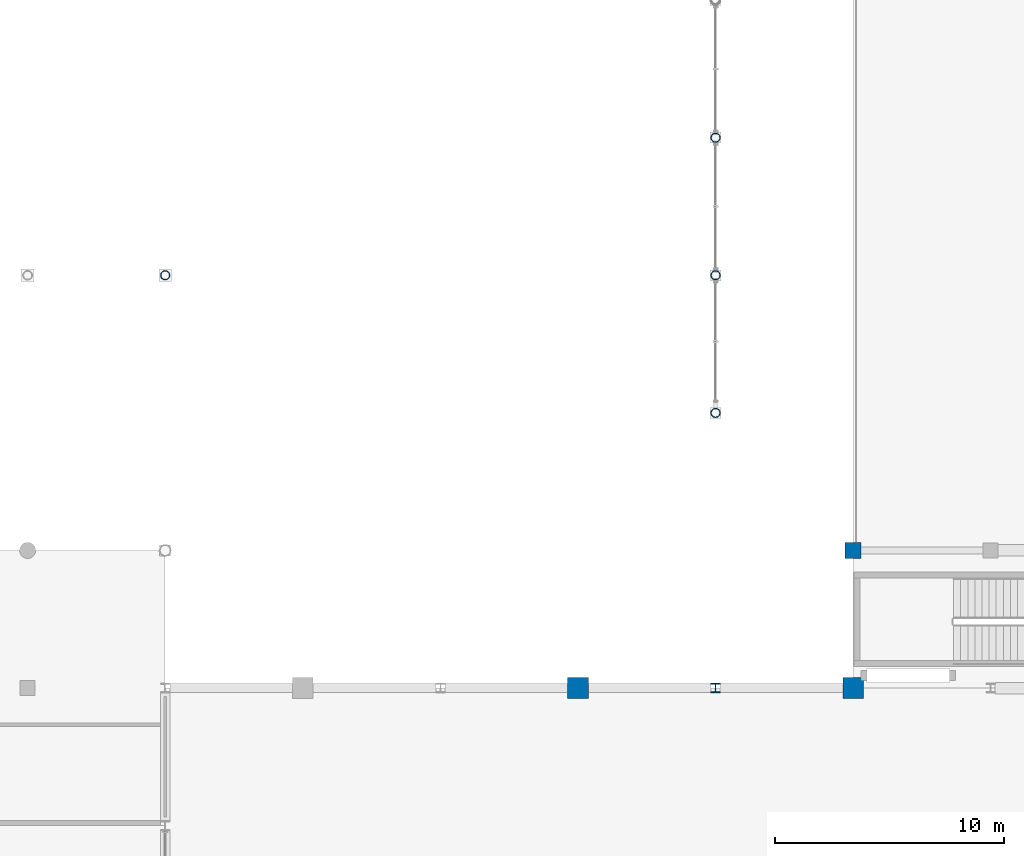
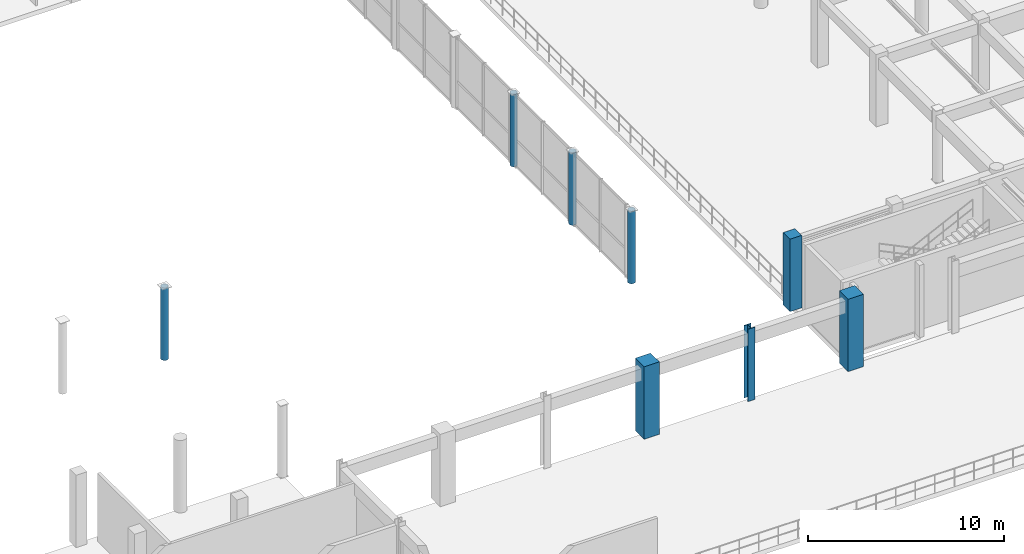
# One storey, part 5 of 116: 8 columns.
"""IFC4 building model written with IfcOpenShell, lengths in metres."""

from ifc_helpers import new_model, si_unit, direction, frame, origin, origin_2d, place, context, subcontext, project, spatial, rectangle, hollow_circle, i_section, extrude, material, material_profile, profile_set, type_object, element, save


model = new_model("IFC4")

# Units and contexts
model_context = context("Model", 3, precision=1e-05, world=origin(), true_north=direction((0.0, 1.0)))
body_context = subcontext(model_context, "Body", "Model", "MODEL_VIEW")
ifc_project = project(units=[si_unit("LENGTHUNIT", "METRE"), si_unit("AREAUNIT", "SQUARE_METRE"), si_unit("VOLUMEUNIT", "CUBIC_METRE"), si_unit("PLANEANGLEUNIT", "RADIAN"), si_unit("MASSUNIT", "GRAM", prefix="KILO"), si_unit("THERMODYNAMICTEMPERATUREUNIT", "KELVIN"), si_unit("POWERUNIT", "WATT")], contexts=[model_context])

# Site, building, storey
site_placement = place(None, origin())
site = spatial("IfcSite", under=ifc_project, at=site_placement, CompositionType="ELEMENT")
building_placement = place(site_placement, origin())
building = spatial("IfcBuilding", under=site, at=building_placement, Name="Phaisarnlok Congress Hotel", CompositionType="ELEMENT")
storey_placement = place(building_placement, frame((0.0, 0.0, 10.5)))
storey = spatial("IfcBuildingStorey", under=building, at=storey_placement, Name="L02", CompositionType="ELEMENT", Elevation=10.5)

# Columns
ifc_material_1 = material(Name="Concrete C50/60", Category="concrete")
ifc_material_profile_1 = material_profile(ifc_material_1, rectangle(XDim=0.699951171875, YDim=0.699951171875, at=origin_2d()), Name="RC 700x700")
ifc_profile_set_1 = profile_set([ifc_material_profile_1], Name="Concrete C50/60")
column_type_1 = type_object("IfcColumnType", Name="COL-RC-700", PredefinedType="COLUMN", material=ifc_profile_set_1)
column_1_placement = place(storey_placement, frame((126.0, 42.0, 0.0), z_axis=(0.0, 0.0, 1.0), x_axis=(1.0, 0.0, 0.0)))
element("IfcColumn", 1, at=column_1_placement, inside=storey, type_object=column_type_1, Name="Column C-05 (L02)", PredefinedType="COLUMN", context=body_context, shape_type="SweptSolid", body=[
    extrude(rectangle(XDim=0.699951171875, YDim=0.699951171875, at=origin_2d()), origin(), (0.0, 0.0, 1.0), 4.5),
])
ifc_material_profile_2 = material_profile(ifc_material_1, rectangle(XDim=0.89990234375, YDim=0.89990234375, at=origin_2d()), Name="RC 900x900")
ifc_profile_set_2 = profile_set([ifc_material_profile_2], Name="Concrete C50/60")
column_type_2 = type_object("IfcColumnType", Name="COL-RC-900", PredefinedType="COLUMN", material=ifc_profile_set_2)
for number, where, z_axis, x_axis, name in (
    (2, (114.0, 36.0, 0.0), (0.0, 0.0, 1.0), (1.0, 0.0, 0.0), "Column C-08 (L02)"),
    (3, (126.0, 36.0, 0.0), (0.0, 0.0, 1.0), (1.0, 0.0, 0.0), "Column C-08 (L02)"),
):
    element("IfcColumn", number, at=place(storey_placement, frame(where, z_axis=z_axis, x_axis=x_axis)), inside=storey, type_object=column_type_2, Name=name, PredefinedType="COLUMN", context=body_context, shape_type="SweptSolid", body=[
        extrude(rectangle(XDim=0.89990234375, YDim=0.89990234375, at=origin_2d()), origin(), (0.0, 0.0, 1.0), 4.5),
    ])
ifc_material_2 = material(Name="Steel S355", Category="steel")
ifc_material_profile_3 = material_profile(ifc_material_2, hollow_circle(Radius=0.203125, WallThickness=0.02001953125, at=origin_2d()), Name="CHS 406.4x20")
ifc_profile_set_3 = profile_set([ifc_material_profile_3], Name="Steel S355")
column_type_3 = type_object("IfcColumnType", Name="COL-STL-CHS406-EXT", PredefinedType="COLUMN", material=ifc_profile_set_3)
for number, where, z_axis, x_axis, name in (
    (4, (120.0, 48.0, 0.0), (0.0, 0.0, 1.0), (1.0, 0.0, 0.0), "Cloister wing-roof slim steel column SC-02E (L02)"),
    (5, (120.0, 54.0, 0.0), (0.0, 0.0, 1.0), (1.0, 0.0, 0.0), "Cloister wing-roof slim steel column SC-02E (L02)"),
    (6, (120.0, 60.0, 0.0), (0.0, 0.0, 1.0), (1.0, 0.0, 0.0), "Cloister wing-roof slim steel column SC-02E (L02)"),
    (7, (96.0, 54.0, 0.0), (0.0, 0.0, 1.0), (1.0, 0.0, 0.0), "Cloister colonnade wing-truss anchor column SC-02E (L02)"),
):
    element("IfcColumn", number, at=place(storey_placement, frame(where, z_axis=z_axis, x_axis=x_axis)), inside=storey, type_object=column_type_3, Name=name, PredefinedType="COLUMN", context=body_context, shape_type="SweptSolid", body=[
        extrude(hollow_circle(Radius=0.203125, WallThickness=0.02001953125, at=origin_2d()), origin(), (0.0, 0.0, 1.0), 4.5),
    ])
ifc_material_profile_4 = material_profile(ifc_material_2, i_section(OverallWidth=0.406005859375, OverallDepth=0.416015625, WebThickness=0.021484375, FlangeThickness=0.034912109375, FilletRadius=0.014892578125, at=origin_2d()), Name="HD 400x382")
ifc_profile_set_4 = profile_set([ifc_material_profile_4], Name="Steel S355")
column_type_4 = type_object("IfcColumnType", Name="COL-STL-HD382", PredefinedType="COLUMN", material=ifc_profile_set_4)
column_2_placement = place(storey_placement, frame((120.0, 36.0, 0.0), z_axis=(0.0, 0.0, 1.0), x_axis=(1.0, 0.0, 0.0)))
element("IfcColumn", 8, at=column_2_placement, inside=storey, type_object=column_type_4, Name="Column SC-05 (L02)", PredefinedType="COLUMN", context=body_context, shape_type="SweptSolid", body=[
    extrude(i_section(OverallWidth=0.406005859375, OverallDepth=0.416015625, WebThickness=0.021484375, FlangeThickness=0.034912109375, FilletRadius=0.014892578125, at=origin_2d()), origin(), (0.0, 0.0, 1.0), 4.5),
])

save(model, "model.ifc")
